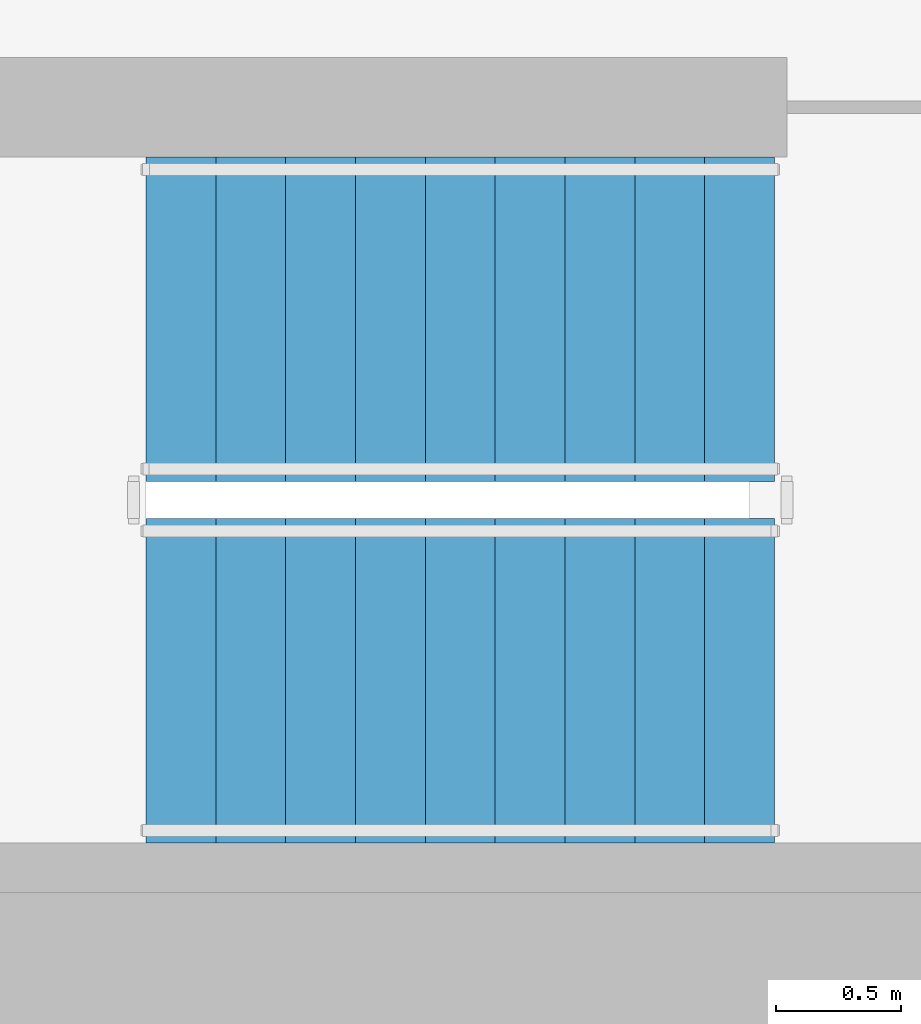
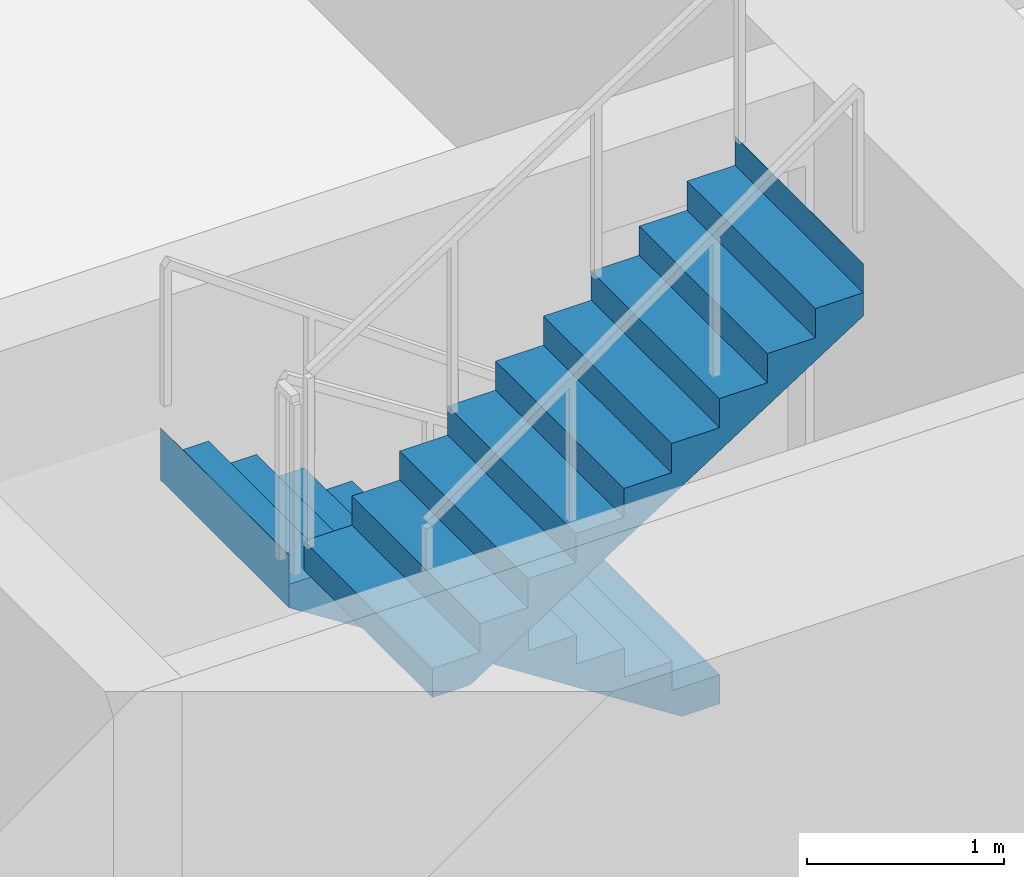
# One storey, part 18 of 22: 2 stair flights, 1 element without a shape of its own.
"""IFC4 building model written with IfcOpenShell, lengths in metres."""

from ifc_helpers import new_model, si_unit, direction, frame, origin, place, context, subcontext, project, spatial, triangles, material, type_object, element, aggregate, save


model = new_model("IFC4")

# Units and contexts
model_context = context("Model", 3, precision=1e-05, world=origin(), true_north=direction((0.0, 1.0)))
body_context = subcontext(model_context, "Body", "Model", "MODEL_VIEW")
ifc_project = project(units=[si_unit("LENGTHUNIT", "METRE"), si_unit("AREAUNIT", "SQUARE_METRE"), si_unit("VOLUMEUNIT", "CUBIC_METRE"), si_unit("PLANEANGLEUNIT", "RADIAN"), si_unit("MASSUNIT", "GRAM", prefix="KILO")], contexts=[model_context])

# Site, building, storey
site_placement = place(None, origin())
site = spatial("IfcSite", under=ifc_project, at=site_placement, CompositionType="ELEMENT")
building_placement = place(site_placement, origin())
building = spatial("IfcBuilding", under=site, at=building_placement, Name="Beryl Residences", CompositionType="ELEMENT")
storey_placement = place(building_placement, frame((0.0, 0.0, 62.39990234375)))
storey = spatial("IfcBuildingStorey", under=building, at=storey_placement, Name="L19", CompositionType="ELEMENT", Elevation=62.39990234375)

# Stair, stair flights
ifc_material_1 = material(Name="Concrete C40/50", Category="concrete")
stair_type = type_object("IfcStairType", Name="ST1 protected exit stair, half-turn, 1300 mm flights", PredefinedType="HALF_TURN_STAIR", material=ifc_material_1)
stair_placement = place(storey_placement, origin())
stair = element("IfcStair", 1, at=stair_placement, inside=storey, type_object=stair_type, Name="L19 PROTECTED EXIT STAIR ST-3", PredefinedType="HALF_TURN_STAIR")
ifc_material_2 = material(Name="Concrete C40/50", Category="concrete")
stair_flight_type = type_object("IfcStairFlightType", Name="SF1 stair flight 1300 mm", PredefinedType="STRAIGHT", material=ifc_material_2)
stair_flight_1_placement = place(storey_placement, frame((10.800048828125, -15.5, 0.0), z_axis=(0.0, 0.0, 1.0), x_axis=(-1.0, 0.0, 0.0)))
stair_flight_1 = element("IfcStairFlight", 2, at=stair_flight_1_placement, type_object=stair_flight_type, Name="ST-3 flight 1", NumberOfRisers=10, NumberOfTreads=9, PredefinedType="STRAIGHT", RiserHeight=0.18, TreadLength=0.28, context=body_context, shape_type="Tessellation", body=[
    triangles([(0.0, -0.64990234375, 0.0), (0.0, -0.324951171875, 0.0), (0.0, 0.0, 0.0), (0.0, 0.324951171875, 0.0), (0.0, 0.64990234375, 0.0), (0.0, -0.64990234375, 0.179931640625), (0.0, -0.324951171875, 0.179931640625), (0.0, 0.0, 0.179931640625), (0.0, 0.324951171875, 0.179931640625), (0.0, 0.64990234375, 0.179931640625), (0.280029296875, -0.64990234375, 0.179931640625), (0.280029296875, -0.324951171875, 0.179931640625), (0.280029296875, 0.0, 0.179931640625), (0.280029296875, 0.324951171875, 0.179931640625), (0.280029296875, 0.64990234375, 0.179931640625), (0.280029296875, -0.64990234375, 0.360107421875), (0.280029296875, -0.324951171875, 0.360107421875), (0.280029296875, 0.0, 0.360107421875), (0.280029296875, 0.324951171875, 0.360107421875), (0.280029296875, 0.64990234375, 0.360107421875), (0.56005859375, -0.64990234375, 0.360107421875), (0.56005859375, -0.324951171875, 0.360107421875), (0.56005859375, 0.0, 0.360107421875), (0.56005859375, 0.324951171875, 0.360107421875), (0.56005859375, 0.64990234375, 0.360107421875), (0.56005859375, -0.64990234375, 0.5400390625), (0.56005859375, -0.324951171875, 0.5400390625), (0.56005859375, 0.0, 0.5400390625), (0.56005859375, 0.324951171875, 0.5400390625), (0.56005859375, 0.64990234375, 0.5400390625), (0.840087890625, -0.64990234375, 0.5400390625), (0.840087890625, -0.324951171875, 0.5400390625), (0.840087890625, 0.0, 0.5400390625), (0.840087890625, 0.324951171875, 0.5400390625), (0.840087890625, 0.64990234375, 0.5400390625), (0.840087890625, -0.64990234375, 0.719970703125), (0.840087890625, -0.324951171875, 0.719970703125), (0.840087890625, 0.0, 0.719970703125), (0.840087890625, 0.324951171875, 0.719970703125), (0.840087890625, 0.64990234375, 0.719970703125), (1.1201171875, -0.64990234375, 0.719970703125), (1.1201171875, -0.324951171875, 0.719970703125), (1.1201171875, 0.0, 0.719970703125), (1.1201171875, 0.324951171875, 0.719970703125), (1.1201171875, 0.64990234375, 0.719970703125), (1.1201171875, -0.64990234375, 0.89990234375), (1.1201171875, -0.324951171875, 0.89990234375), (1.1201171875, 0.0, 0.89990234375), (1.1201171875, 0.324951171875, 0.89990234375), (1.1201171875, 0.64990234375, 0.89990234375), (1.39990234375, -0.64990234375, 0.89990234375), (1.39990234375, -0.324951171875, 0.89990234375), (1.39990234375, 0.0, 0.89990234375), (1.39990234375, 0.324951171875, 0.89990234375), (1.39990234375, 0.64990234375, 0.89990234375), (1.39990234375, -0.64990234375, 1.080078125), (1.39990234375, -0.324951171875, 1.080078125), (1.39990234375, 0.0, 1.080078125), (1.39990234375, 0.324951171875, 1.080078125), (1.39990234375, 0.64990234375, 1.080078125), (1.679931640625, -0.64990234375, 1.080078125), (1.679931640625, -0.324951171875, 1.080078125), (1.679931640625, 0.0, 1.080078125), (1.679931640625, 0.324951171875, 1.080078125), (1.679931640625, 0.64990234375, 1.080078125), (1.679931640625, -0.64990234375, 1.260009765625), (1.679931640625, -0.324951171875, 1.260009765625), (1.679931640625, 0.0, 1.260009765625), (1.679931640625, 0.324951171875, 1.260009765625), (1.679931640625, 0.64990234375, 1.260009765625), (1.9599609375, -0.64990234375, 1.260009765625), (1.9599609375, -0.324951171875, 1.260009765625), (1.9599609375, 0.0, 1.260009765625), (1.9599609375, 0.324951171875, 1.260009765625), (1.9599609375, 0.64990234375, 1.260009765625), (1.9599609375, -0.64990234375, 1.43994140625), (1.9599609375, -0.324951171875, 1.43994140625), (1.9599609375, 0.0, 1.43994140625), (1.9599609375, 0.324951171875, 1.43994140625), (1.9599609375, 0.64990234375, 1.43994140625), (2.239990234375, -0.64990234375, 1.43994140625), (2.239990234375, -0.324951171875, 1.43994140625), (2.239990234375, 0.0, 1.43994140625), (2.239990234375, 0.324951171875, 1.43994140625), (2.239990234375, 0.64990234375, 1.43994140625), (2.239990234375, -0.64990234375, 1.6201171875), (2.239990234375, -0.324951171875, 1.6201171875), (2.239990234375, 0.0, 1.6201171875), (2.239990234375, 0.324951171875, 1.6201171875), (2.239990234375, 0.64990234375, 1.6201171875), (2.52001953125, -0.64990234375, 1.6201171875), (2.52001953125, -0.324951171875, 1.6201171875), (2.52001953125, 0.0, 1.6201171875), (2.52001953125, 0.324951171875, 1.6201171875), (2.52001953125, 0.64990234375, 1.6201171875), (2.52001953125, -0.64990234375, 1.800048828125), (2.52001953125, -0.324951171875, 1.800048828125), (2.52001953125, 0.0, 1.800048828125), (2.52001953125, 0.324951171875, 1.800048828125), (2.52001953125, 0.64990234375, 1.800048828125), (2.52099609375, -0.64990234375, 1.800048828125), (2.52099609375, -0.324951171875, 1.800048828125), (2.52099609375, 0.0, 1.800048828125), (2.52099609375, 0.324951171875, 1.800048828125), (2.52099609375, 0.64990234375, 1.800048828125), (2.52099609375, -0.64990234375, 1.477294921875), (2.52099609375, -0.324951171875, 1.477294921875), (2.52099609375, 0.0, 1.477294921875), (2.52099609375, 0.324951171875, 1.477294921875), (2.52099609375, 0.64990234375, 1.477294921875), (0.22314453125, -0.64990234375, 0.0), (0.22314453125, -0.324951171875, 0.0), (0.22314453125, 0.0, 0.0), (0.22314453125, 0.324951171875, 0.0), (0.22314453125, 0.64990234375, 0.0)], [[1, 6, 7], [1, 7, 2], [2, 7, 8], [2, 8, 3], [3, 8, 9], [3, 9, 4], [4, 9, 10], [4, 10, 5], [6, 11, 12], [6, 12, 7], [7, 12, 13], [7, 13, 8], [8, 13, 14], [8, 14, 9], [9, 14, 15], [9, 15, 10], [11, 16, 17], [11, 17, 12], [12, 17, 18], [12, 18, 13], [13, 18, 19], [13, 19, 14], [14, 19, 20], [14, 20, 15], [16, 21, 22], [16, 22, 17], [17, 22, 23], [17, 23, 18], [18, 23, 24], [18, 24, 19], [19, 24, 25], [19, 25, 20], [21, 26, 27], [21, 27, 22], [22, 27, 28], [22, 28, 23], [23, 28, 29], [23, 29, 24], [24, 29, 30], [24, 30, 25], [26, 31, 32], [26, 32, 27], [27, 32, 33], [27, 33, 28], [28, 33, 34], [28, 34, 29], [29, 34, 35], [29, 35, 30], [31, 36, 37], [31, 37, 32], [32, 37, 38], [32, 38, 33], [33, 38, 39], [33, 39, 34], [34, 39, 40], [34, 40, 35], [36, 41, 42], [36, 42, 37], [37, 42, 43], [37, 43, 38], [38, 43, 44], [38, 44, 39], [39, 44, 45], [39, 45, 40], [41, 46, 47], [41, 47, 42], [42, 47, 48], [42, 48, 43], [43, 48, 49], [43, 49, 44], [44, 49, 50], [44, 50, 45], [46, 51, 52], [46, 52, 47], [47, 52, 53], [47, 53, 48], [48, 53, 54], [48, 54, 49], [49, 54, 55], [49, 55, 50], [51, 56, 57], [51, 57, 52], [52, 57, 58], [52, 58, 53], [53, 58, 59], [53, 59, 54], [54, 59, 60], [54, 60, 55], [56, 61, 62], [56, 62, 57], [57, 62, 63], [57, 63, 58], [58, 63, 64], [58, 64, 59], [59, 64, 65], [59, 65, 60], [61, 66, 67], [61, 67, 62], [62, 67, 68], [62, 68, 63], [63, 68, 69], [63, 69, 64], [64, 69, 70], [64, 70, 65], [66, 71, 72], [66, 72, 67], [67, 72, 73], [67, 73, 68], [68, 73, 74], [68, 74, 69], [69, 74, 75], [69, 75, 70], [71, 76, 77], [71, 77, 72], [72, 77, 78], [72, 78, 73], [73, 78, 79], [73, 79, 74], [74, 79, 80], [74, 80, 75], [76, 81, 82], [76, 82, 77], [77, 82, 83], [77, 83, 78], [78, 83, 84], [78, 84, 79], [79, 84, 85], [79, 85, 80], [81, 86, 87], [81, 87, 82], [82, 87, 88], [82, 88, 83], [83, 88, 89], [83, 89, 84], [84, 89, 90], [84, 90, 85], [86, 91, 92], [86, 92, 87], [87, 92, 93], [87, 93, 88], [88, 93, 94], [88, 94, 89], [89, 94, 95], [89, 95, 90], [91, 96, 97], [91, 97, 92], [92, 97, 98], [92, 98, 93], [93, 98, 99], [93, 99, 94], [94, 99, 100], [94, 100, 95], [96, 101, 102], [96, 102, 97], [97, 102, 103], [97, 103, 98], [98, 103, 104], [98, 104, 99], [99, 104, 105], [99, 105, 100], [101, 106, 107], [101, 107, 102], [102, 107, 108], [102, 108, 103], [103, 108, 109], [103, 109, 104], [104, 109, 110], [104, 110, 105], [106, 111, 112], [106, 112, 107], [107, 112, 113], [107, 113, 108], [108, 113, 114], [108, 114, 109], [109, 114, 115], [109, 115, 110], [111, 1, 2], [111, 2, 112], [112, 2, 3], [112, 3, 113], [113, 3, 4], [113, 4, 114], [114, 4, 5], [114, 5, 115], [1, 111, 106], [5, 110, 115], [106, 101, 96], [110, 100, 105], [106, 96, 91], [110, 95, 100], [106, 91, 86], [110, 90, 95], [106, 86, 81], [110, 85, 90], [81, 76, 71], [85, 75, 80], [106, 81, 71], [110, 75, 85], [71, 66, 61], [75, 65, 70], [106, 71, 61], [110, 65, 75], [61, 56, 51], [65, 55, 60], [106, 61, 51], [110, 55, 65], [51, 46, 41], [55, 45, 50], [106, 51, 41], [110, 45, 55], [41, 36, 31], [45, 35, 40], [106, 41, 31], [110, 35, 45], [31, 26, 21], [35, 25, 30], [106, 31, 21], [110, 25, 35], [21, 16, 11], [25, 15, 20], [106, 21, 11], [110, 15, 25], [1, 106, 11], [5, 15, 110], [11, 6, 1], [15, 5, 10]], closed=True),
])
stair_flight_2_placement = place(storey_placement, frame((8.280029296875, -16.949951171875, 1.800048828125), z_axis=(0.0, 0.0, 1.0), x_axis=(1.0, 0.0, 0.0)))
stair_flight_2 = element("IfcStairFlight", 3, at=stair_flight_2_placement, type_object=stair_flight_type, Name="ST-3 flight 2", NumberOfRisers=10, NumberOfTreads=9, PredefinedType="STRAIGHT", RiserHeight=0.18, TreadLength=0.28, context=body_context, shape_type="Tessellation", body=[
    triangles([(0.0, -0.64990234375, 0.0), (0.0, -0.324951171875, 0.0), (0.0, 0.0, 0.0), (0.0, 0.324951171875, 0.0), (0.0, 0.64990234375, 0.0), (0.0, -0.64990234375, 0.179931640625), (0.0, -0.324951171875, 0.179931640625), (0.0, 0.0, 0.179931640625), (0.0, 0.324951171875, 0.179931640625), (0.0, 0.64990234375, 0.179931640625), (0.280029296875, -0.64990234375, 0.179931640625), (0.280029296875, -0.324951171875, 0.179931640625), (0.280029296875, 0.0, 0.179931640625), (0.280029296875, 0.324951171875, 0.179931640625), (0.280029296875, 0.64990234375, 0.179931640625), (0.280029296875, -0.64990234375, 0.360107421875), (0.280029296875, -0.324951171875, 0.360107421875), (0.280029296875, 0.0, 0.360107421875), (0.280029296875, 0.324951171875, 0.360107421875), (0.280029296875, 0.64990234375, 0.360107421875), (0.56005859375, -0.64990234375, 0.360107421875), (0.56005859375, -0.324951171875, 0.360107421875), (0.56005859375, 0.0, 0.360107421875), (0.56005859375, 0.324951171875, 0.360107421875), (0.56005859375, 0.64990234375, 0.360107421875), (0.56005859375, -0.64990234375, 0.5400390625), (0.56005859375, -0.324951171875, 0.5400390625), (0.56005859375, 0.0, 0.5400390625), (0.56005859375, 0.324951171875, 0.5400390625), (0.56005859375, 0.64990234375, 0.5400390625), (0.840087890625, -0.64990234375, 0.5400390625), (0.840087890625, -0.324951171875, 0.5400390625), (0.840087890625, 0.0, 0.5400390625), (0.840087890625, 0.324951171875, 0.5400390625), (0.840087890625, 0.64990234375, 0.5400390625), (0.840087890625, -0.64990234375, 0.719970703125), (0.840087890625, -0.324951171875, 0.719970703125), (0.840087890625, 0.0, 0.719970703125), (0.840087890625, 0.324951171875, 0.719970703125), (0.840087890625, 0.64990234375, 0.719970703125), (1.1201171875, -0.64990234375, 0.719970703125), (1.1201171875, -0.324951171875, 0.719970703125), (1.1201171875, 0.0, 0.719970703125), (1.1201171875, 0.324951171875, 0.719970703125), (1.1201171875, 0.64990234375, 0.719970703125), (1.1201171875, -0.64990234375, 0.89990234375), (1.1201171875, -0.324951171875, 0.89990234375), (1.1201171875, 0.0, 0.89990234375), (1.1201171875, 0.324951171875, 0.89990234375), (1.1201171875, 0.64990234375, 0.89990234375), (1.39990234375, -0.64990234375, 0.89990234375), (1.39990234375, -0.324951171875, 0.89990234375), (1.39990234375, 0.0, 0.89990234375), (1.39990234375, 0.324951171875, 0.89990234375), (1.39990234375, 0.64990234375, 0.89990234375), (1.39990234375, -0.64990234375, 1.080078125), (1.39990234375, -0.324951171875, 1.080078125), (1.39990234375, 0.0, 1.080078125), (1.39990234375, 0.324951171875, 1.080078125), (1.39990234375, 0.64990234375, 1.080078125), (1.679931640625, -0.64990234375, 1.080078125), (1.679931640625, -0.324951171875, 1.080078125), (1.679931640625, 0.0, 1.080078125), (1.679931640625, 0.324951171875, 1.080078125), (1.679931640625, 0.64990234375, 1.080078125), (1.679931640625, -0.64990234375, 1.260009765625), (1.679931640625, -0.324951171875, 1.260009765625), (1.679931640625, 0.0, 1.260009765625), (1.679931640625, 0.324951171875, 1.260009765625), (1.679931640625, 0.64990234375, 1.260009765625), (1.9599609375, -0.64990234375, 1.260009765625), (1.9599609375, -0.324951171875, 1.260009765625), (1.9599609375, 0.0, 1.260009765625), (1.9599609375, 0.324951171875, 1.260009765625), (1.9599609375, 0.64990234375, 1.260009765625), (1.9599609375, -0.64990234375, 1.43994140625), (1.9599609375, -0.324951171875, 1.43994140625), (1.9599609375, 0.0, 1.43994140625), (1.9599609375, 0.324951171875, 1.43994140625), (1.9599609375, 0.64990234375, 1.43994140625), (2.239990234375, -0.64990234375, 1.43994140625), (2.239990234375, -0.324951171875, 1.43994140625), (2.239990234375, 0.0, 1.43994140625), (2.239990234375, 0.324951171875, 1.43994140625), (2.239990234375, 0.64990234375, 1.43994140625), (2.239990234375, -0.64990234375, 1.6201171875), (2.239990234375, -0.324951171875, 1.6201171875), (2.239990234375, 0.0, 1.6201171875), (2.239990234375, 0.324951171875, 1.6201171875), (2.239990234375, 0.64990234375, 1.6201171875), (2.52001953125, -0.64990234375, 1.6201171875), (2.52001953125, -0.324951171875, 1.6201171875), (2.52001953125, 0.0, 1.6201171875), (2.52001953125, 0.324951171875, 1.6201171875), (2.52001953125, 0.64990234375, 1.6201171875), (2.52001953125, -0.64990234375, 1.800048828125), (2.52001953125, -0.324951171875, 1.800048828125), (2.52001953125, 0.0, 1.800048828125), (2.52001953125, 0.324951171875, 1.800048828125), (2.52001953125, 0.64990234375, 1.800048828125), (2.52099609375, -0.64990234375, 1.800048828125), (2.52099609375, -0.324951171875, 1.800048828125), (2.52099609375, 0.0, 1.800048828125), (2.52099609375, 0.324951171875, 1.800048828125), (2.52099609375, 0.64990234375, 1.800048828125), (2.52099609375, -0.64990234375, 1.477294921875), (2.52099609375, -0.324951171875, 1.477294921875), (2.52099609375, 0.0, 1.477294921875), (2.52099609375, 0.324951171875, 1.477294921875), (2.52099609375, 0.64990234375, 1.477294921875), (0.22314453125, -0.64990234375, 0.0), (0.22314453125, -0.324951171875, 0.0), (0.22314453125, 0.0, 0.0), (0.22314453125, 0.324951171875, 0.0), (0.22314453125, 0.64990234375, 0.0)], [[1, 6, 7], [1, 7, 2], [2, 7, 8], [2, 8, 3], [3, 8, 9], [3, 9, 4], [4, 9, 10], [4, 10, 5], [6, 11, 12], [6, 12, 7], [7, 12, 13], [7, 13, 8], [8, 13, 14], [8, 14, 9], [9, 14, 15], [9, 15, 10], [11, 16, 17], [11, 17, 12], [12, 17, 18], [12, 18, 13], [13, 18, 19], [13, 19, 14], [14, 19, 20], [14, 20, 15], [16, 21, 22], [16, 22, 17], [17, 22, 23], [17, 23, 18], [18, 23, 24], [18, 24, 19], [19, 24, 25], [19, 25, 20], [21, 26, 27], [21, 27, 22], [22, 27, 28], [22, 28, 23], [23, 28, 29], [23, 29, 24], [24, 29, 30], [24, 30, 25], [26, 31, 32], [26, 32, 27], [27, 32, 33], [27, 33, 28], [28, 33, 34], [28, 34, 29], [29, 34, 35], [29, 35, 30], [31, 36, 37], [31, 37, 32], [32, 37, 38], [32, 38, 33], [33, 38, 39], [33, 39, 34], [34, 39, 40], [34, 40, 35], [36, 41, 42], [36, 42, 37], [37, 42, 43], [37, 43, 38], [38, 43, 44], [38, 44, 39], [39, 44, 45], [39, 45, 40], [41, 46, 47], [41, 47, 42], [42, 47, 48], [42, 48, 43], [43, 48, 49], [43, 49, 44], [44, 49, 50], [44, 50, 45], [46, 51, 52], [46, 52, 47], [47, 52, 53], [47, 53, 48], [48, 53, 54], [48, 54, 49], [49, 54, 55], [49, 55, 50], [51, 56, 57], [51, 57, 52], [52, 57, 58], [52, 58, 53], [53, 58, 59], [53, 59, 54], [54, 59, 60], [54, 60, 55], [56, 61, 62], [56, 62, 57], [57, 62, 63], [57, 63, 58], [58, 63, 64], [58, 64, 59], [59, 64, 65], [59, 65, 60], [61, 66, 67], [61, 67, 62], [62, 67, 68], [62, 68, 63], [63, 68, 69], [63, 69, 64], [64, 69, 70], [64, 70, 65], [66, 71, 72], [66, 72, 67], [67, 72, 73], [67, 73, 68], [68, 73, 74], [68, 74, 69], [69, 74, 75], [69, 75, 70], [71, 76, 77], [71, 77, 72], [72, 77, 78], [72, 78, 73], [73, 78, 79], [73, 79, 74], [74, 79, 80], [74, 80, 75], [76, 81, 82], [76, 82, 77], [77, 82, 83], [77, 83, 78], [78, 83, 84], [78, 84, 79], [79, 84, 85], [79, 85, 80], [81, 86, 87], [81, 87, 82], [82, 87, 88], [82, 88, 83], [83, 88, 89], [83, 89, 84], [84, 89, 90], [84, 90, 85], [86, 91, 92], [86, 92, 87], [87, 92, 93], [87, 93, 88], [88, 93, 94], [88, 94, 89], [89, 94, 95], [89, 95, 90], [91, 96, 97], [91, 97, 92], [92, 97, 98], [92, 98, 93], [93, 98, 99], [93, 99, 94], [94, 99, 100], [94, 100, 95], [96, 101, 102], [96, 102, 97], [97, 102, 103], [97, 103, 98], [98, 103, 104], [98, 104, 99], [99, 104, 105], [99, 105, 100], [101, 106, 107], [101, 107, 102], [102, 107, 108], [102, 108, 103], [103, 108, 109], [103, 109, 104], [104, 109, 110], [104, 110, 105], [106, 111, 112], [106, 112, 107], [107, 112, 113], [107, 113, 108], [108, 113, 114], [108, 114, 109], [109, 114, 115], [109, 115, 110], [111, 1, 2], [111, 2, 112], [112, 2, 3], [112, 3, 113], [113, 3, 4], [113, 4, 114], [114, 4, 5], [114, 5, 115], [1, 111, 106], [5, 110, 115], [106, 101, 96], [110, 100, 105], [106, 96, 91], [110, 95, 100], [106, 91, 86], [110, 90, 95], [106, 86, 81], [110, 85, 90], [81, 76, 71], [85, 75, 80], [106, 81, 71], [110, 75, 85], [71, 66, 61], [75, 65, 70], [106, 71, 61], [110, 65, 75], [61, 56, 51], [65, 55, 60], [106, 61, 51], [110, 55, 65], [51, 46, 41], [55, 45, 50], [106, 51, 41], [110, 45, 55], [41, 36, 31], [45, 35, 40], [106, 41, 31], [110, 35, 45], [31, 26, 21], [35, 25, 30], [106, 31, 21], [110, 25, 35], [21, 16, 11], [25, 15, 20], [106, 21, 11], [110, 15, 25], [1, 106, 11], [5, 15, 110], [11, 6, 1], [15, 5, 10]], closed=True),
])
aggregate(stair, [stair_flight_1, stair_flight_2])

save(model, "model.ifc")
